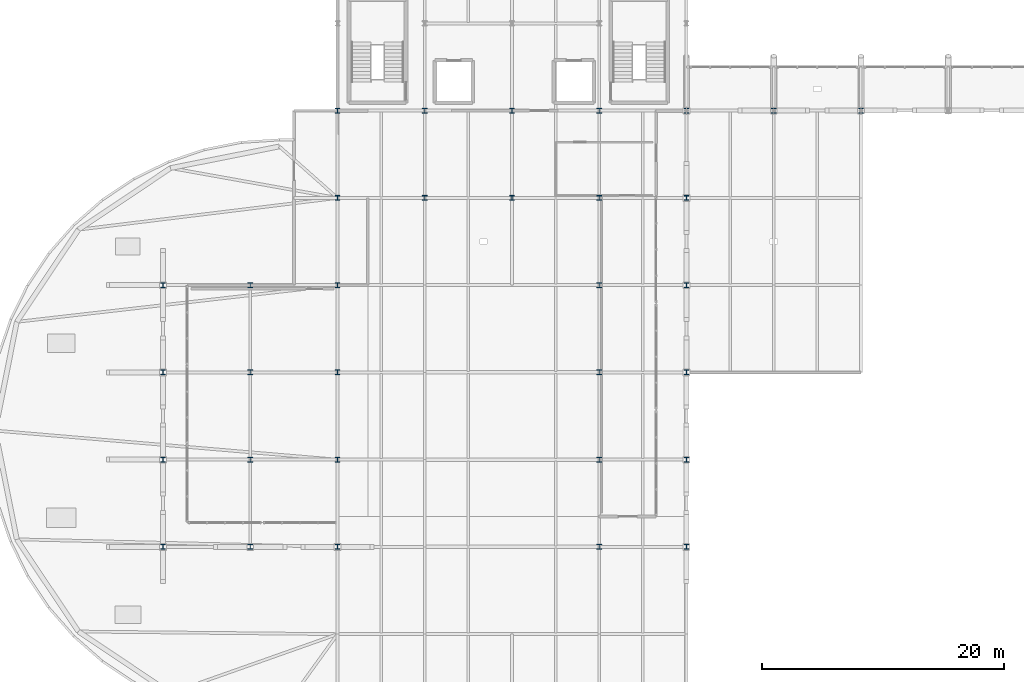
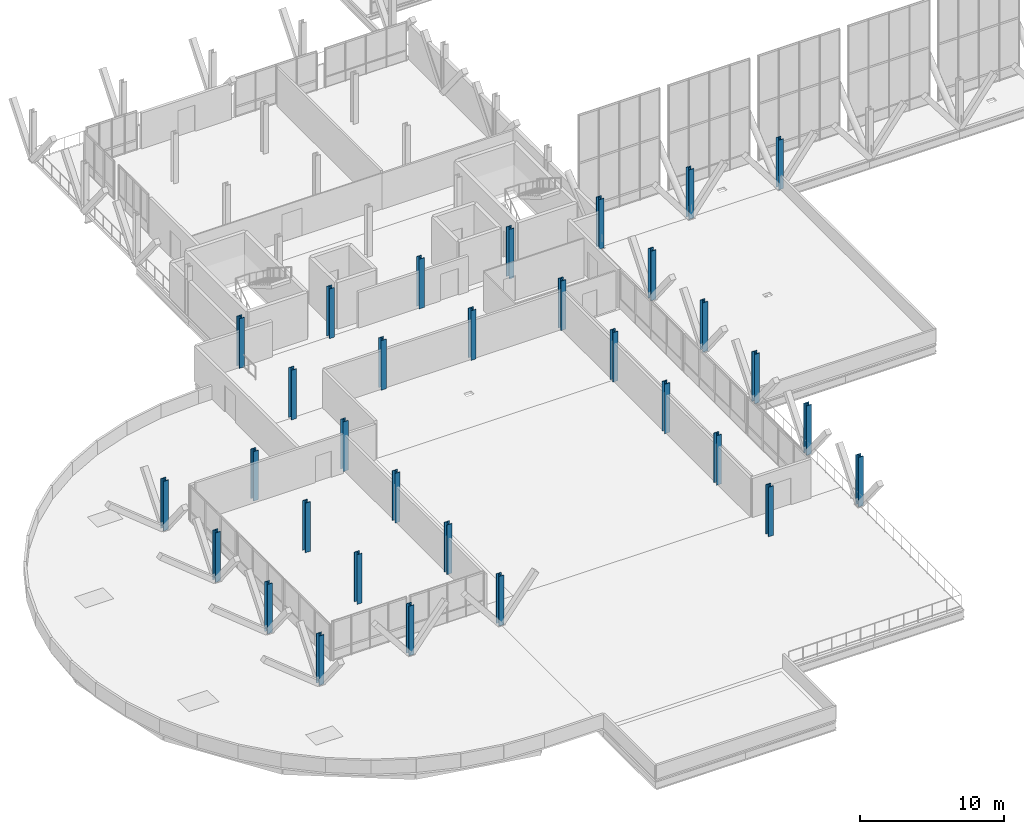
# One storey, part 1 of 102: 32 columns.
"""IFC4 building model written with IfcOpenShell, lengths in metres."""

from ifc_helpers import new_model, si_unit, direction, frame, origin, origin_2d, place, context, subcontext, project, spatial, i_section, extrude, material, material_profile, profile_set, type_object, element, save


model = new_model("IFC4")

# Units and contexts
model_context = context("Model", 3, precision=1e-05, world=origin(), true_north=direction((0.0, 1.0)))
body_context = subcontext(model_context, "Body", "Model", "MODEL_VIEW")
ifc_project = project(units=[si_unit("LENGTHUNIT", "METRE"), si_unit("AREAUNIT", "SQUARE_METRE"), si_unit("VOLUMEUNIT", "CUBIC_METRE"), si_unit("PLANEANGLEUNIT", "RADIAN"), si_unit("MASSUNIT", "GRAM", prefix="KILO")], contexts=[model_context])

# Site, building, storey
site_placement = place(None, origin())
site = spatial("IfcSite", under=ifc_project, at=site_placement, CompositionType="ELEMENT")
building_placement = place(site_placement, origin())
building = spatial("IfcBuilding", under=site, at=building_placement, Name="Yarey Park Central Fire Station", CompositionType="ELEMENT")
storey_placement = place(building_placement, frame((0.0, 0.0, 6.0)))
storey = spatial("IfcBuildingStorey", under=building, at=storey_placement, Name="L02", CompositionType="ELEMENT", Elevation=6.0)

# Columns
ifc_material = material(Name="Steel ASTM A992 Gr. 50", Category="steel")
ifc_material_profile_1 = material_profile(ifc_material, i_section(OverallWidth=0.404052734375, OverallDepth=0.406982421875, WebThickness=0.027099609375, FlangeThickness=0.043701171875, at=origin_2d()), Name="W360x347")
ifc_profile_set_1 = profile_set([ifc_material_profile_1], Name="Steel ASTM A992 Gr. 50")
column_type_1 = type_object("IfcColumnType", Name="STR_COL_W360_EXT", PredefinedType="COLUMN", material=ifc_profile_set_1)
for number, where, z_axis, x_axis, name in (
    (1, (14.39990234375, 21.60009765625, 0.0), (0.0, 0.0, 1.0), (1.0, 0.0, 0.0), "COL_L02_X144_Y216"),
    (2, (14.39990234375, 28.800048828125, 0.0), (0.0, 0.0, 1.0), (1.0, 0.0, 0.0), "COL_L02_X144_Y288"),
    (3, (14.39990234375, 36.0, 0.0), (0.0, 0.0, 1.0), (1.0, 0.0, 0.0), "COL_L02_X144_Y360"),
    (4, (14.39990234375, 43.199951171875, 0.0), (0.0, 0.0, 1.0), (1.0, 0.0, 0.0), "COL_L02_X144_Y432"),
    (5, (21.60009765625, 21.60009765625, 0.0), (0.0, 0.0, 1.0), (1.0, 0.0, 0.0), "COL_L02_X216_Y216"),
    (6, (21.60009765625, 43.199951171875, 0.0), (0.0, 0.0, 1.0), (1.0, 0.0, 0.0), "COL_L02_X216_Y432"),
    (7, (28.800048828125, 21.60009765625, 0.0), (0.0, 0.0, 1.0), (1.0, 0.0, 0.0), "COL_L02_X288_Y216"),
    (8, (50.39990234375, 21.60009765625, 0.0), (0.0, 0.0, 1.0), (1.0, 0.0, 0.0), "COL_L02_X504_Y216"),
    (9, (57.60009765625, 21.60009765625, 0.0), (0.0, 0.0, 1.0), (1.0, 0.0, 0.0), "COL_L02_X576_Y216"),
    (10, (57.60009765625, 28.800048828125, 0.0), (0.0, 0.0, 1.0), (1.0, 0.0, 0.0), "COL_L02_X576_Y288"),
    (11, (57.60009765625, 36.0, 0.0), (0.0, 0.0, 1.0), (1.0, 0.0, 0.0), "COL_L02_X576_Y360"),
    (12, (57.60009765625, 43.199951171875, 0.0), (0.0, 0.0, 1.0), (1.0, 0.0, 0.0), "COL_L02_X576_Y432"),
    (13, (57.60009765625, 50.39990234375, 0.0), (0.0, 0.0, 1.0), (1.0, 0.0, 0.0), "COL_L02_X576_Y504"),
    (14, (57.60009765625, 57.60009765625, 0.0), (0.0, 0.0, 1.0), (1.0, 0.0, 0.0), "COL_L02_X576_Y576"),
    (15, (64.800048828125, 57.60009765625, 0.0), (0.0, 0.0, 1.0), (1.0, 0.0, 0.0), "V2_SCR_POST_S_L02_64"),
    (16, (72.0, 57.60009765625, 0.0), (0.0, 0.0, 1.0), (1.0, 0.0, 0.0), "V2_SCR_POST_S_L02_72"),
):
    element("IfcColumn", number, at=place(storey_placement, frame(where, z_axis=z_axis, x_axis=x_axis)), inside=storey, type_object=column_type_1, Name=name, PredefinedType="COLUMN", context=body_context, shape_type="SweptSolid", body=[
        extrude(i_section(OverallWidth=0.404052734375, OverallDepth=0.406982421875, WebThickness=0.027099609375, FlangeThickness=0.043701171875, at=origin_2d()), origin(), (0.0, 0.0, 1.0), 4.199951171875),
    ])
ifc_material_profile_2 = material_profile(ifc_material, i_section(OverallWidth=0.404052734375, OverallDepth=0.406982421875, WebThickness=0.027099609375, FlangeThickness=0.043701171875, at=origin_2d()), Name="W360x347")
ifc_profile_set_2 = profile_set([ifc_material_profile_2], Name="Steel ASTM A992 Gr. 50")
column_type_2 = type_object("IfcColumnType", Name="STR_COL_W360_INT", PredefinedType="COLUMN", material=ifc_profile_set_2)
for number, where, z_axis, x_axis, name in (
    (17, (21.60009765625, 28.800048828125, 0.0), (0.0, 0.0, 1.0), (1.0, 0.0, 0.0), "COL_L02_X216_Y288"),
    (18, (21.60009765625, 36.0, 0.0), (0.0, 0.0, 1.0), (1.0, 0.0, 0.0), "COL_L02_X216_Y360"),
    (19, (28.800048828125, 28.800048828125, 0.0), (0.0, 0.0, 1.0), (1.0, 0.0, 0.0), "COL_L02_X288_Y288"),
    (20, (28.800048828125, 36.0, 0.0), (0.0, 0.0, 1.0), (1.0, 0.0, 0.0), "COL_L02_X288_Y360"),
    (21, (28.800048828125, 43.199951171875, 0.0), (0.0, 0.0, 1.0), (1.0, 0.0, 0.0), "COL_L02_X288_Y432"),
    (22, (28.800048828125, 50.39990234375, 0.0), (0.0, 0.0, 1.0), (1.0, 0.0, 0.0), "COL_L02_X288_Y504"),
    (23, (28.800048828125, 57.60009765625, 0.0), (0.0, 0.0, 1.0), (1.0, 0.0, 0.0), "COL_L02_X288_Y576"),
    (24, (36.0, 50.39990234375, 0.0), (0.0, 0.0, 1.0), (1.0, 0.0, 0.0), "COL_L02_X360_Y504"),
    (25, (36.0, 57.60009765625, 0.0), (0.0, 0.0, 1.0), (1.0, 0.0, 0.0), "COL_L02_X360_Y576"),
    (26, (43.199951171875, 50.39990234375, 0.0), (0.0, 0.0, 1.0), (1.0, 0.0, 0.0), "COL_L02_X432_Y504"),
    (27, (43.199951171875, 57.60009765625, 0.0), (0.0, 0.0, 1.0), (1.0, 0.0, 0.0), "COL_L02_X432_Y576"),
    (28, (50.39990234375, 28.800048828125, 0.0), (0.0, 0.0, 1.0), (1.0, 0.0, 0.0), "COL_L02_X504_Y288"),
    (29, (50.39990234375, 36.0, 0.0), (0.0, 0.0, 1.0), (1.0, 0.0, 0.0), "COL_L02_X504_Y360"),
    (30, (50.39990234375, 43.199951171875, 0.0), (0.0, 0.0, 1.0), (1.0, 0.0, 0.0), "COL_L02_X504_Y432"),
    (31, (50.39990234375, 50.39990234375, 0.0), (0.0, 0.0, 1.0), (1.0, 0.0, 0.0), "COL_L02_X504_Y504"),
    (32, (50.39990234375, 57.60009765625, 0.0), (0.0, 0.0, 1.0), (1.0, 0.0, 0.0), "COL_L02_X504_Y576"),
):
    element("IfcColumn", number, at=place(storey_placement, frame(where, z_axis=z_axis, x_axis=x_axis)), inside=storey, type_object=column_type_2, Name=name, PredefinedType="COLUMN", context=body_context, shape_type="SweptSolid", body=[
        extrude(i_section(OverallWidth=0.404052734375, OverallDepth=0.406982421875, WebThickness=0.027099609375, FlangeThickness=0.043701171875, at=origin_2d()), origin(), (0.0, 0.0, 1.0), 4.199951171875),
    ])

save(model, "model.ifc")
